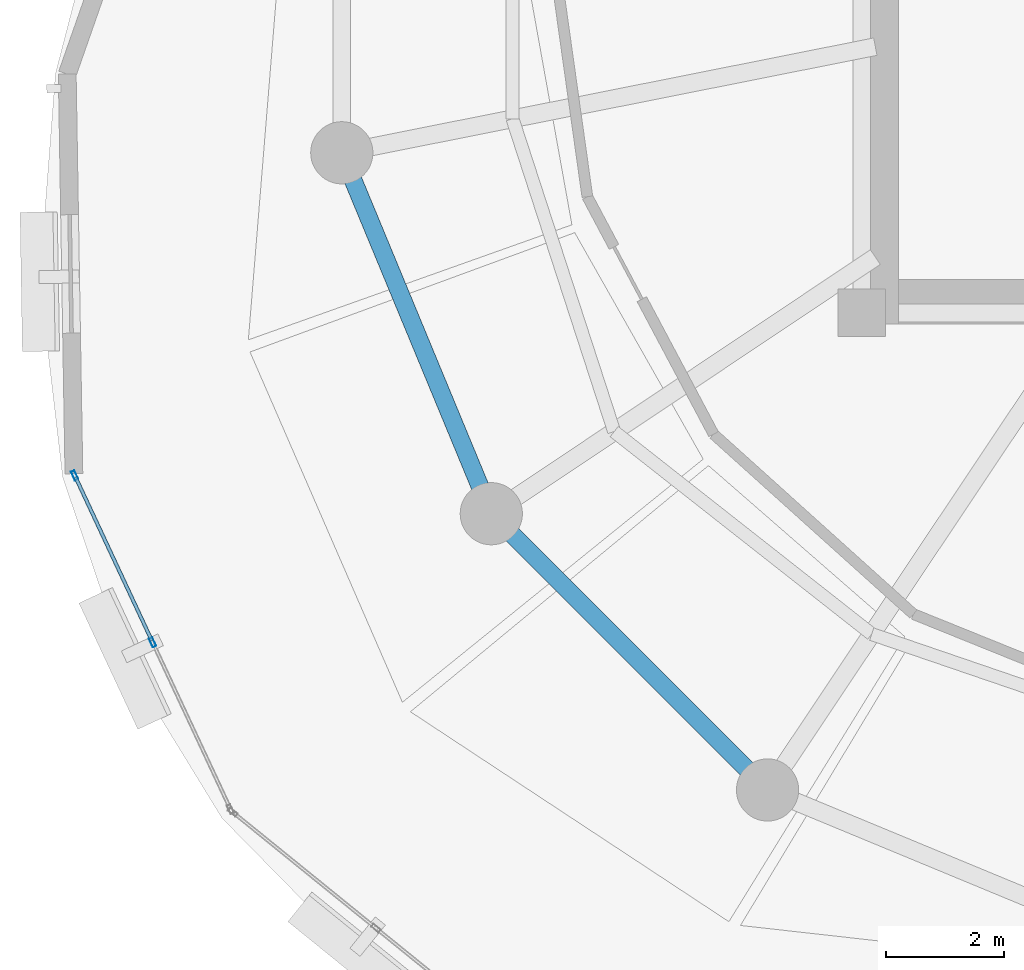
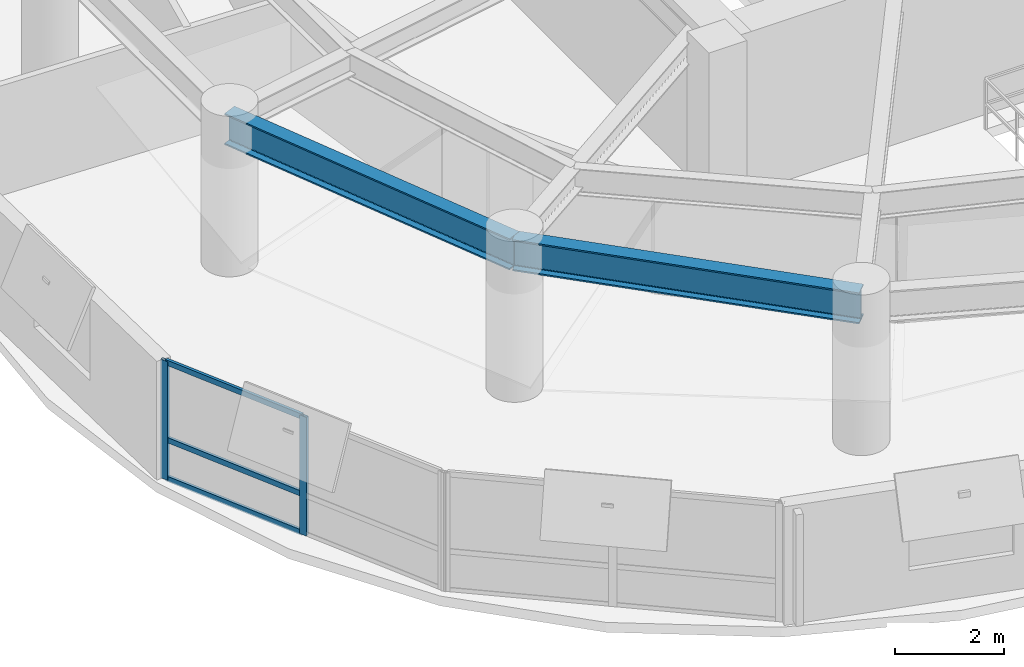
# One storey, part 4 of 12: 5 members, 2 beams, 1 element without a shape of its own.
"""IFC4 building model written with IfcOpenShell, lengths in metres."""

from ifc_helpers import new_model, si_unit, direction, frame, origin, origin_2d, place, context, subcontext, project, spatial, hollow_rectangle, i_section, extrude, material, layer, layer_set, material_profile, profile_set, type_object, element, aggregate, save


model = new_model("IFC4")

# Units and contexts
model_context = context("Model", 3, precision=1e-05, world=origin(), true_north=direction((0.0, 1.0)))
body_context = subcontext(model_context, "Body", "Model", "MODEL_VIEW")
ifc_project = project(units=[si_unit("LENGTHUNIT", "METRE"), si_unit("AREAUNIT", "SQUARE_METRE"), si_unit("VOLUMEUNIT", "CUBIC_METRE"), si_unit("PLANEANGLEUNIT", "RADIAN"), si_unit("MASSUNIT", "GRAM", prefix="KILO"), si_unit("THERMODYNAMICTEMPERATUREUNIT", "KELVIN"), si_unit("POWERUNIT", "WATT")], contexts=[model_context])

# Site, building, storey
site_placement = place(None, origin())
site = spatial("IfcSite", under=ifc_project, at=site_placement, CompositionType="ELEMENT")
building_placement = place(site_placement, origin())
building = spatial("IfcBuilding", under=site, at=building_placement, Name="Ocrelia Relay Tower", CompositionType="ELEMENT")
storey_placement = place(building_placement, frame((0.0, 0.0, 191.60009765625)))
storey = spatial("IfcBuildingStorey", under=building, at=storey_placement, Name="L46", CompositionType="ELEMENT", Elevation=191.60009765625)

# Beams
ifc_material_1 = material(Name="Steel S355", Category="steel")
ifc_material_profile_1 = material_profile(ifc_material_1, i_section(OverallWidth=0.300048828125, OverallDepth=0.699951171875, WebThickness=0.01708984375, FlangeThickness=0.031982421875, FilletRadius=0.027099609375, at=origin_2d()), Name="HEB 700")
ifc_profile_set_1 = profile_set([ifc_material_profile_1], Name="Steel S355")
beam_type = type_object("IfcBeamType", Name="BM-HEB700", PredefinedType="BEAM", material=ifc_profile_set_1)
for number, where, z_axis, x_axis, name in (
    (1, (17.4248046875, 22.702880859375, 3.02978515625), (0.382687508402, -0.923877844151, 0.0), (0.923877844151, 0.382687508402, 0.0), "L46 Perimeter Spandrel Beam S09"),
    (2, (19.9482421875, 16.61083984375, 3.02978515625), (0.707106781187, -0.707106781187, 0.0), (0.707106781187, 0.707106781187, 0.0), "L46 Perimeter Spandrel Beam S10"),
):
    element("IfcBeam", number, at=place(storey_placement, frame(where, z_axis=z_axis, x_axis=x_axis)), inside=storey, type_object=beam_type, Name=name, PredefinedType="BEAM", context=body_context, shape_type="SweptSolid", body=[
        extrude(i_section(OverallWidth=0.300048828125, OverallDepth=0.699951171875, WebThickness=0.01708984375, FlangeThickness=0.031982421875, FilletRadius=0.027099609375, at=origin_2d()), origin(), (0.0, 0.0, 1.0), 6.593994140625),
    ])

# Curtain wall, members
ifc_material_2 = material(Name="Aluminium and solar-control low-E glass", Category="aluminium")
ifc_layer = layer(ifc_material_2, 0.179931640625, Name="Aluminium and solar-control low-E glass")
ifc_layer_set = layer_set([ifc_layer], Name="Aluminium and solar-control low-E glass")
curtain_wall_type = type_object("IfcCurtainWallType", Name="CW-SYS-Z3-CLOU", PredefinedType="NOTDEFINED", material=ifc_layer_set)
curtain_wall_placement = place(storey_placement, origin())
curtain_wall = element("IfcCurtainWall", 3, at=curtain_wall_placement, inside=storey, type_object=curtain_wall_type, Name="L46 Elliptical Tower Curtain Wall Bay 09", PredefinedType="NOTDEFINED")
ifc_material_3 = material(Name="Anodised bronze aluminium", Category="aluminium")
ifc_material_profile_2 = material_profile(ifc_material_3, hollow_rectangle(XDim=0.06494140625, YDim=0.159912109375, WallThickness=0.0048828125, at=origin_2d()), Name="CW-MUL-160x65")
ifc_profile_set_2 = profile_set([ifc_material_profile_2], Name="Anodised bronze aluminium")
member_type_1 = type_object("IfcMemberType", Name="CW-SYS-Z3-CLOU-MUL", PredefinedType="MULLION", material=ifc_profile_set_2)
member_1_placement = place(storey_placement, frame((12.917236328125, 17.25732421875, 0.0), z_axis=(0.0, 0.0, 1.0), x_axis=(0.906166467476, 0.422921190321, 0.0)))
member_1 = element("IfcMember", 4, at=member_1_placement, type_object=member_type_1, Name="CW-Z3 mullion 1", PredefinedType="MULLION", context=body_context, shape_type="SweptSolid", body=[
    extrude(hollow_rectangle(XDim=0.06494140625, YDim=0.159912109375, WallThickness=0.0048828125, at=origin_2d()), origin(), (0.0, 0.0, 1.0), 2.659912109375),
])
member_2_placement = place(storey_placement, frame((14.23193359375, 14.440185546875, 0.0), z_axis=(0.0, 0.0, 1.0), x_axis=(0.906166467476, 0.422921190321, 0.0)))
member_2 = element("IfcMember", 5, at=member_2_placement, type_object=member_type_1, Name="CW-Z3 mullion 2", PredefinedType="MULLION", context=body_context, shape_type="SweptSolid", body=[
    extrude(hollow_rectangle(XDim=0.06494140625, YDim=0.159912109375, WallThickness=0.0048828125, at=origin_2d()), origin(), (0.0, 0.0, 1.0), 2.659912109375),
])
ifc_material_profile_3 = material_profile(ifc_material_3, hollow_rectangle(XDim=0.06005859375, YDim=0.1201171875, WallThickness=0.0048828125, at=origin_2d()), Name="CW-TRN-120x60")
ifc_profile_set_3 = profile_set([ifc_material_profile_3], Name="Anodised bronze aluminium")
member_type_2 = type_object("IfcMemberType", Name="CW-SYS-Z3-CLOU-TRN", PredefinedType="USERDEFINED", material=ifc_profile_set_3)
member_3_placement = place(storey_placement, frame((12.930908203125, 17.227783203125, 0.02978515625), z_axis=(0.422924982366, -0.906164697663, 0.0), x_axis=(0.906164697663, 0.422924982366, 0.0)))
member_3 = element("IfcMember", 6, at=member_3_placement, type_object=member_type_2, Name="CW-Z3 transom 1.1", ObjectType="TRANSOM", PredefinedType="USERDEFINED", context=body_context, shape_type="SweptSolid", body=[
    extrude(hollow_rectangle(XDim=0.06005859375, YDim=0.1201171875, WallThickness=0.0048828125, at=origin_2d()), origin(), (0.0, 0.0, 1.0), 3.0439453125),
])
member_4_placement = place(storey_placement, frame((12.930908203125, 17.227783203125, 0.89990234375), z_axis=(0.422924982366, -0.906164697663, 0.0), x_axis=(0.906164697663, 0.422924982366, 0.0)))
member_4 = element("IfcMember", 7, at=member_4_placement, type_object=member_type_2, Name="CW-Z3 transom 1.2", ObjectType="TRANSOM", PredefinedType="USERDEFINED", context=body_context, shape_type="SweptSolid", body=[
    extrude(hollow_rectangle(XDim=0.06005859375, YDim=0.1201171875, WallThickness=0.0048828125, at=origin_2d()), origin(), (0.0, 0.0, 1.0), 3.0439453125),
])
member_5_placement = place(storey_placement, frame((12.930908203125, 17.227783203125, 2.6298828125), z_axis=(0.422924982366, -0.906164697663, 0.0), x_axis=(0.906164697663, 0.422924982366, 0.0)))
member_5 = element("IfcMember", 8, at=member_5_placement, type_object=member_type_2, Name="CW-Z3 transom 1.3", ObjectType="TRANSOM", PredefinedType="USERDEFINED", context=body_context, shape_type="SweptSolid", body=[
    extrude(hollow_rectangle(XDim=0.06005859375, YDim=0.1201171875, WallThickness=0.0048828125, at=origin_2d()), origin(), (0.0, 0.0, 1.0), 3.0439453125),
])
aggregate(curtain_wall, [member_1, member_2, member_3, member_4, member_5])

save(model, "model.ifc")
